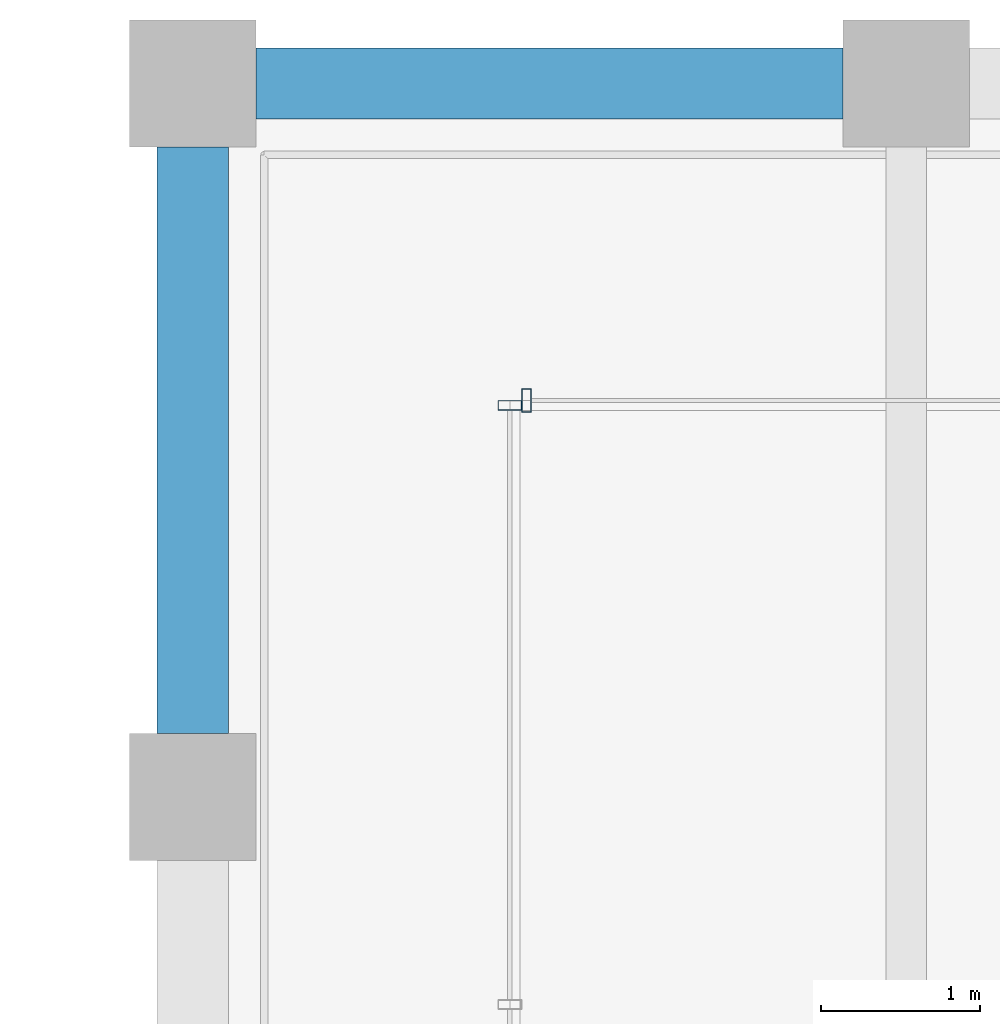
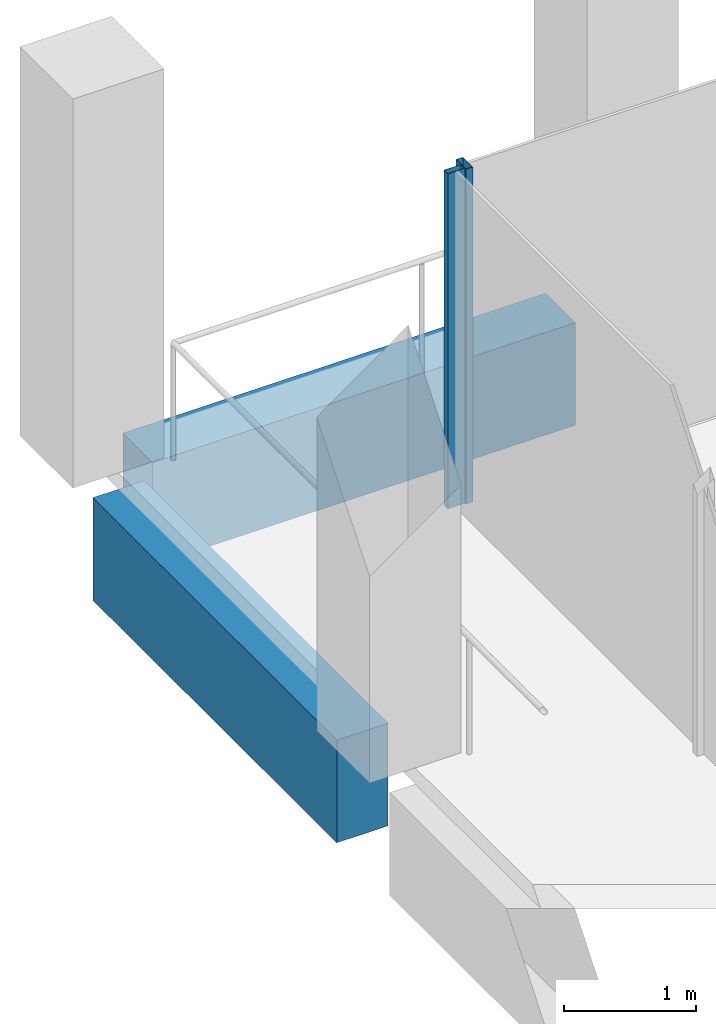
# One storey, part 21 of 41: 2 beams, 2 members, 2 elements without a shape of their own.
"""IFC4 building model written with IfcOpenShell, lengths in metres."""

from ifc_helpers import new_model, si_unit, direction, frame, origin, origin_2d, place, context, subcontext, project, spatial, rectangle, hollow_rectangle, extrude, material, material_profile, profile_set, type_object, element, aggregate, save


model = new_model("IFC4")

# Units and contexts
model_context = context("Model", 3, precision=1e-05, world=origin(), true_north=direction((0.0, 1.0)))
body_context = subcontext(model_context, "Body", "Model", "MODEL_VIEW")
ifc_project = project(units=[si_unit("LENGTHUNIT", "METRE"), si_unit("AREAUNIT", "SQUARE_METRE"), si_unit("VOLUMEUNIT", "CUBIC_METRE"), si_unit("PLANEANGLEUNIT", "RADIAN"), si_unit("MASSUNIT", "GRAM", prefix="KILO")], contexts=[model_context])

# Site, building, storey
site_placement = place(None, origin())
site = spatial("IfcSite", under=ifc_project, at=site_placement, CompositionType="ELEMENT")
building_placement = place(site_placement, origin())
building = spatial("IfcBuilding", under=site, at=building_placement, Name="Altepetl Exchange Towers", CompositionType="ELEMENT")
storey_placement = place(building_placement, frame((0.0, 0.0, 206.39990234375)))
storey = spatial("IfcBuildingStorey", under=building, at=storey_placement, Name="L52", CompositionType="ELEMENT", Elevation=206.39990234375)

# Curtain wall, member
ifc_material_1 = material(Name="Aluminium 6063-T6 glazing", Category="aluminium")
curtain_wall_type = type_object("IfcCurtainWallType", Name="Loggia glazing system", PredefinedType="NOTDEFINED", material=ifc_material_1)
curtain_wall_1_placement = place(storey_placement, origin())
curtain_wall_1 = element("IfcCurtainWall", 1, at=curtain_wall_1_placement, inside=storey, type_object=curtain_wall_type, Name="CW1 run", PredefinedType="NOTDEFINED")
ifc_material_2 = material(Name="Aluminium 6063-T6", Category="aluminium")
ifc_material_profile_1 = material_profile(ifc_material_2, hollow_rectangle(XDim=0.06005859375, YDim=0.14990234375, WallThickness=0.0029296875, at=origin_2d()), Name="Mullion 60x150 aluminium")
ifc_profile_set_1 = profile_set([ifc_material_profile_1], Name="Aluminium 6063-T6")
member_type = type_object("IfcMemberType", Name="Mullion 60x150 aluminium", PredefinedType="MULLION", material=ifc_profile_set_1)
member_1_placement = place(storey_placement, frame((42.60498046875, 70.0, 0.0), z_axis=(0.0, 0.0, 1.0), x_axis=(-1.0, 0.0, 0.0)))
member_1 = element("IfcMember", 2, at=member_1_placement, type_object=member_type, Name="MU1 mullion", PredefinedType="MULLION", context=body_context, shape_type="SweptSolid", body=[
    extrude(hollow_rectangle(XDim=0.06005859375, YDim=0.14990234375, WallThickness=0.0029296875, at=origin_2d()), origin(), (0.0, 0.0, 1.0), 3.10009765625),
])
aggregate(curtain_wall_1, [member_1])

curtain_wall_2_placement = place(storey_placement, origin())
curtain_wall_2 = element("IfcCurtainWall", 3, at=curtain_wall_2_placement, inside=storey, type_object=curtain_wall_type, Name="CW1 run", PredefinedType="NOTDEFINED")
member_2_placement = place(storey_placement, frame((42.5, 69.969970703125, 0.0), z_axis=(0.0, 0.0, 1.0), x_axis=(0.0, -1.0, 0.0)))
member_2 = element("IfcMember", 4, at=member_2_placement, type_object=member_type, Name="MU1 mullion", PredefinedType="MULLION", context=body_context, shape_type="SweptSolid", body=[
    extrude(hollow_rectangle(XDim=0.06005859375, YDim=0.14990234375, WallThickness=0.0029296875, at=origin_2d()), origin(), (0.0, 0.0, 1.0), 3.10009765625),
])
aggregate(curtain_wall_2, [member_2])

# Beams
ifc_material_3 = material(Name="Concrete C50/60 precast with cantera rosa facing", Category="concrete")
ifc_material_profile_2 = material_profile(ifc_material_3, rectangle(XDim=0.449951171875, YDim=0.949951171875, at=origin_2d()), Name="450 x 950")
ifc_profile_set_2 = profile_set([ifc_material_profile_2], Name="Concrete C50/60 precast with cantera rosa facing")
beam_type_1 = type_object("IfcBeamType", Name="Spandrel beam 450x950 cantera rosa", PredefinedType="SPANDREL", material=ifc_profile_set_2)
beam_1_placement = place(storey_placement, frame((44.60009765625, 72.0, -0.625), z_axis=(-1.0, 0.0, 0.0), x_axis=(0.0, -1.0, 0.0)))
element("IfcBeam", 5, at=beam_1_placement, inside=storey, type_object=beam_type_1, Name="sp:A:L52:029", PredefinedType="SPANDREL", context=body_context, shape_type="SweptSolid", body=[
    extrude(rectangle(XDim=0.449951171875, YDim=0.949951171875, at=origin_2d()), origin(), (0.0, 0.0, 1.0), 3.7001953125),
])
ifc_material_4 = material(Name="Concrete C50/60 precast with tezontle facing", Category="concrete")
ifc_material_profile_3 = material_profile(ifc_material_4, rectangle(XDim=0.449951171875, YDim=0.949951171875, at=origin_2d()), Name="450 x 950")
ifc_profile_set_3 = profile_set([ifc_material_profile_3], Name="Concrete C50/60 precast with tezontle facing")
beam_type_2 = type_object("IfcBeamType", Name="Spandrel beam 450x950 tezontle", PredefinedType="SPANDREL", material=ifc_profile_set_3)
beam_2_placement = place(storey_placement, frame((40.5, 71.60009765625, -0.625), z_axis=(0.0, -1.0, 0.0), x_axis=(1.0, 0.0, 0.0)))
element("IfcBeam", 6, at=beam_2_placement, inside=storey, type_object=beam_type_2, Name="sp:A:L52:030", PredefinedType="SPANDREL", context=body_context, shape_type="SweptSolid", body=[
    extrude(rectangle(XDim=0.449951171875, YDim=0.949951171875, at=origin_2d()), origin(), (0.0, 0.0, 1.0), 3.7001953125),
])

save(model, "model.ifc")
